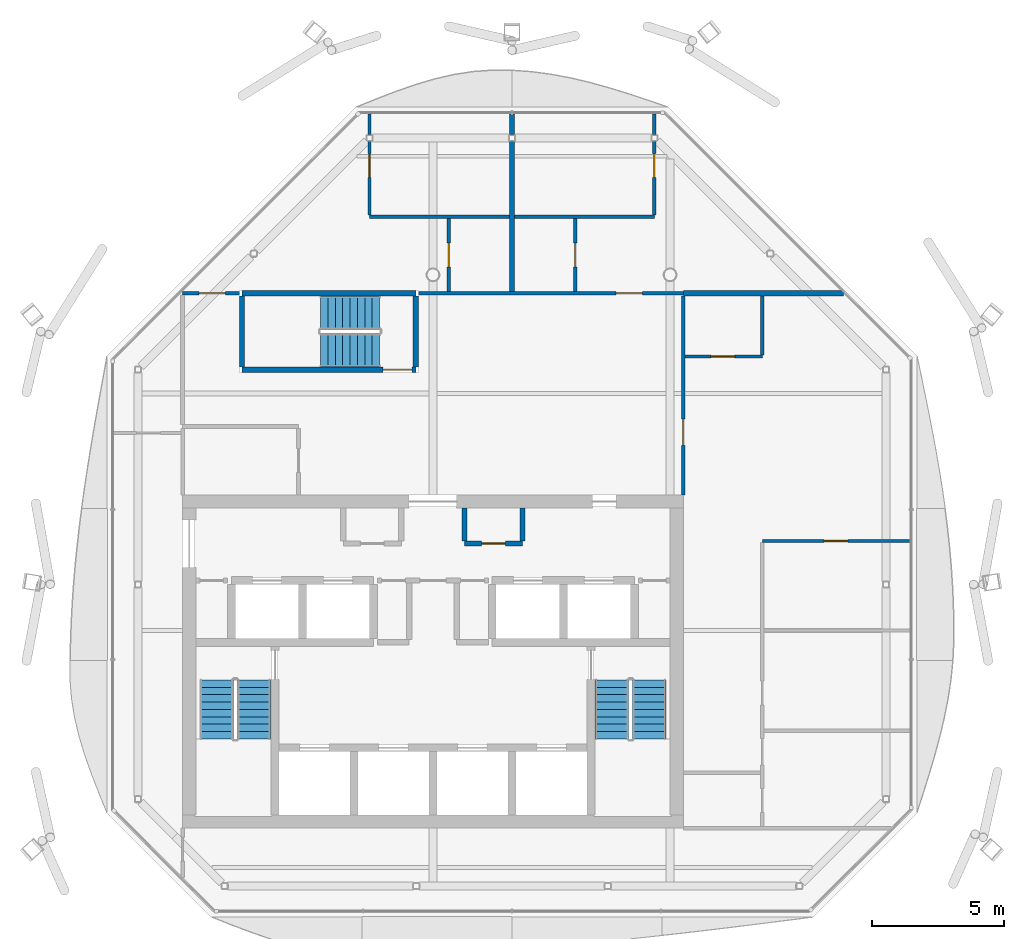
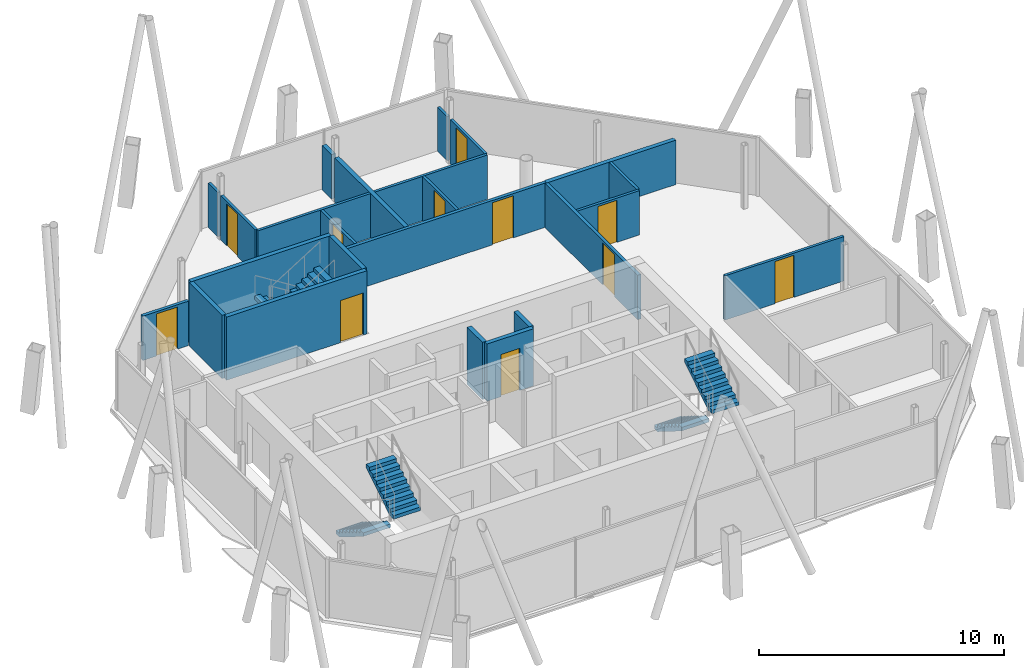
# One storey, part 11 of 14: 23 walls, 11 doors, 6 stair flights, 11 openings, 3 elements without a shape of their own.
"""IFC4 building model written with IfcOpenShell, lengths in metres."""

from ifc_helpers import new_model, si_unit, direction, frame, frame_2d, origin, place, context, subcontext, project, spatial, polyline, rectangle, outline, extrude, material, layer, layer_set, type_object, element, fill, aggregate, save


model = new_model("IFC4")

# Units and contexts
model_context = context("Model", 3, precision=1e-05, world=origin(), true_north=direction((0.0, 1.0)))
body_context = subcontext(model_context, "Body", "Model", "MODEL_VIEW")
ifc_project = project(units=[si_unit("LENGTHUNIT", "METRE"), si_unit("AREAUNIT", "SQUARE_METRE"), si_unit("VOLUMEUNIT", "CUBIC_METRE"), si_unit("PLANEANGLEUNIT", "RADIAN"), si_unit("MASSUNIT", "GRAM", prefix="KILO")], contexts=[model_context])

# Site, building, storey
site_placement = place(None, origin())
site = spatial("IfcSite", under=ifc_project, at=site_placement, CompositionType="ELEMENT")
building_placement = place(site_placement, origin())
building = spatial("IfcBuilding", under=site, at=building_placement, Name="Tskaro Facet Tower", CompositionType="ELEMENT")
storey_placement = place(building_placement, frame((0.0, 0.0, 287.85009765625)))
storey = spatial("IfcBuildingStorey", under=building, at=storey_placement, Name="L77", CompositionType="ELEMENT", Elevation=287.85009765625)

# Wall, opening, door
ifc_material_1 = material(Name="Concrete C20/25", Category="concrete")
ifc_layer_1 = layer(ifc_material_1, 0.199951171875, Name="Concrete C20/25")
ifc_layer_set_1 = layer_set([ifc_layer_1], Name="Concrete C20/25")
wall_type_1 = type_object("IfcWallType", Name="CORE-WALL", PredefinedType="SOLIDWALL", material=ifc_layer_set_1)
wall_1_placement = place(storey_placement, frame((1.199951171875, -1.199951171875, 0.0), z_axis=(0.0, 0.0, 1.0), x_axis=(1.0, 0.0, 0.0)))
wall_1 = element("IfcWall", 1, at=wall_1_placement, inside=storey, type_object=wall_type_1, Name="Core room wall W016", PredefinedType="SOLIDWALL", context=body_context, shape_type="SweptSolid", body=[
    extrude(rectangle(XDim=2.199951171875, YDim=0.199951171875, at=frame_2d((1.10009765625, 0.0))), origin(), (0.0, 0.0, 1.0), 2.849853515625),
])
opening_1_placement = place(wall_1_placement, frame((0.64990234375, 0.0, 0.0)))
opening_1 = element("IfcOpeningElement", 2, at=opening_1_placement, cuts=wall_1, Name="Opening T23-D11", PredefinedType="OPENING", context=body_context, shape_type="SweptSolid", body=[
    extrude(rectangle(XDim=0.89990234375, YDim=2.10009765625, at=frame_2d((0.449951171875, 1.050048828125))), frame((0.0, 0.10986328125, 0.0), z_axis=(0.0, -1.0, 0.0), x_axis=(1.0, 0.0, 0.0)), (0.0, 0.0, 1.0), 0.219970703125),
])
ifc_material_2 = material(Name="Timber", Category="wood")
door_type_1 = type_object("IfcDoorType", Name="D-ROOM", OperationType="NOTDEFINED", PredefinedType="DOOR", material=ifc_material_2)
door_1_placement = place(opening_1_placement, origin())
door_1 = element("IfcDoor", 3, at=door_1_placement, inside=storey, type_object=door_type_1, Name="Door T23-D11", OperationType="SINGLE_SWING_LEFT", OverallHeight=2.10009765625, OverallWidth=0.89990234375, PredefinedType="DOOR", context=body_context, shape_type="SweptSolid", body=[
    extrude(rectangle(XDim=0.89990234375, YDim=2.10009765625, at=frame_2d((0.449951171875, 1.050048828125))), frame((0.0, 0.02490234375, 0.0), z_axis=(0.0, -1.0, 0.0), x_axis=(1.0, 0.0, 0.0)), (0.0, 0.0, 1.0), 0.050048828125),
])
fill(opening_1, door_1)

# Walls
for number, where, z_axis, x_axis, name in (
    (4, (1.199951171875, -1.10009765625, 0.0), (0.0, 0.0, 1.0), (0.0, 1.0, 0.0), "Core room wall W046"),
    (5, (3.39990234375, -1.10009765625, 0.0), (0.0, 0.0, 1.0), (0.0, 1.0, 0.0), "Core room wall W051"),
):
    element("IfcWall", number, at=place(storey_placement, frame(where, z_axis=z_axis, x_axis=x_axis)), inside=storey, type_object=wall_type_1, Name=name, PredefinedType="SOLIDWALL", context=body_context, shape_type="SweptSolid", body=[
        extrude(rectangle(XDim=1.25, YDim=0.199951171875, at=frame_2d((0.625, 0.0))), origin(), (0.0, 0.0, 1.0), 2.849853515625),
    ])

# Wall, opening, door
ifc_material_3 = material(Name="Gypsum board on steel studs", Category="steel")
ifc_layer_2 = layer(ifc_material_3, 0.125, Name="Gypsum board on steel studs")
ifc_layer_set_2 = layer_set([ifc_layer_2], Name="Gypsum board on steel studs")
wall_type_2 = type_object("IfcWallType", Name="PART", PredefinedType="PARTITIONING", material=ifc_layer_set_2)
wall_2_placement = place(storey_placement, frame((18.10009765625, -1.10009765625, 0.0), z_axis=(0.0, 0.0, 1.0), x_axis=(-1.0, 0.0, 0.0)))
wall_2 = element("IfcWall", 6, at=wall_2_placement, inside=storey, type_object=wall_type_2, Name="Partition W017", PredefinedType="PARTITIONING", context=body_context, shape_type="SweptSolid", body=[
    extrude(rectangle(XDim=5.60009765625, YDim=0.125, at=frame_2d((2.800048828125, 0.0))), origin(), (0.0, 0.0, 1.0), 2.2099609375),
])
opening_2_placement = place(wall_2_placement, frame((2.35009765625, 0.0, 0.0)))
opening_2 = element("IfcOpeningElement", 7, at=opening_2_placement, cuts=wall_2, Name="Opening T23-D12", PredefinedType="OPENING", context=body_context, shape_type="SweptSolid", body=[
    extrude(rectangle(XDim=0.89990234375, YDim=2.10009765625, at=frame_2d((0.449951171875, 1.050048828125))), frame((0.0, 0.072509765625, 0.0), z_axis=(0.0, -1.0, 0.0), x_axis=(1.0, 0.0, 0.0)), (0.0, 0.0, 1.0), 0.14501953125),
])
door_2_placement = place(opening_2_placement, origin())
door_2 = element("IfcDoor", 8, at=door_2_placement, inside=storey, type_object=door_type_1, Name="Door T23-D12", OperationType="SINGLE_SWING_RIGHT", OverallHeight=2.10009765625, OverallWidth=0.89990234375, PredefinedType="DOOR", context=body_context, shape_type="SweptSolid", body=[
    extrude(rectangle(XDim=0.89990234375, YDim=2.10009765625, at=frame_2d((0.449951171875, 1.050048828125))), frame((0.0, 0.02490234375, 0.0), z_axis=(0.0, -1.0, 0.0), x_axis=(1.0, 0.0, 0.0)), (0.0, 0.0, 1.0), 0.050048828125),
])
fill(opening_2, door_2)

wall_3_placement = place(storey_placement, frame((9.574951171875, 5.89990234375, 0.0), z_axis=(0.0, 0.0, 1.0), x_axis=(1.0, 0.0, 0.0)))
wall_3 = element("IfcWall", 9, at=wall_3_placement, inside=storey, type_object=wall_type_2, Name="Partition W021", PredefinedType="PARTITIONING", context=body_context, shape_type="SweptSolid", body=[
    extrude(rectangle(XDim=2.925048828125, YDim=0.125, at=frame_2d((1.46240234375, 0.0))), origin(), (0.0, 0.0, 1.0), 2.2099609375),
])
opening_3_placement = place(wall_3_placement, frame((0.97509765625, 0.0, 0.0)))
opening_3 = element("IfcOpeningElement", 10, at=opening_3_placement, cuts=wall_3, Name="Opening T23-D18", PredefinedType="OPENING", context=body_context, shape_type="SweptSolid", body=[
    extrude(rectangle(XDim=0.89990234375, YDim=2.10009765625, at=frame_2d((0.449951171875, 1.050048828125))), frame((0.0, 0.072509765625, 0.0), z_axis=(0.0, -1.0, 0.0), x_axis=(1.0, 0.0, 0.0)), (0.0, 0.0, 1.0), 0.14501953125),
])
door_3_placement = place(opening_3_placement, origin())
door_3 = element("IfcDoor", 11, at=door_3_placement, inside=storey, type_object=door_type_1, Name="Door T23-D18", OperationType="SINGLE_SWING_LEFT", OverallHeight=2.10009765625, OverallWidth=0.89990234375, PredefinedType="DOOR", context=body_context, shape_type="SweptSolid", body=[
    extrude(rectangle(XDim=0.89990234375, YDim=2.10009765625, at=frame_2d((0.449951171875, 1.050048828125))), frame((0.0, 0.02490234375, 0.0), z_axis=(0.0, -1.0, 0.0), x_axis=(1.0, 0.0, 0.0)), (0.0, 0.0, 1.0), 0.050048828125),
])
fill(opening_3, door_3)

# Wall
wall_4_placement = place(storey_placement, frame((-2.405029296875, 11.199951171875, 0.0), z_axis=(0.0, 0.0, 1.0), x_axis=(1.0, 0.0, 0.0)))
element("IfcWall", 12, at=wall_4_placement, inside=storey, type_object=wall_type_2, Name="Partition W026", PredefinedType="PARTITIONING", context=body_context, shape_type="SweptSolid", body=[
    extrude(rectangle(XDim=10.804931640625, YDim=0.125, at=frame_2d((5.40234375, 0.0))), origin(), (0.0, 0.0, 1.0), 2.2099609375),
])

# Wall, opening, door
wall_5_placement = place(storey_placement, frame((-2.405029296875, 14.074951171875, 0.0), z_axis=(0.0, 0.0, 1.0), x_axis=(0.0, -1.0, 0.0)))
wall_5 = element("IfcWall", 13, at=wall_5_placement, inside=storey, type_object=wall_type_2, Name="Partition W037", PredefinedType="PARTITIONING", context=body_context, shape_type="SweptSolid", body=[
    extrude(rectangle(XDim=2.8125, YDim=0.125, at=frame_2d((1.40625, 0.0))), origin(), (0.0, 0.0, 1.0), 2.2099609375),
])
opening_4_placement = place(wall_5_placement, frame((0.47509765625, 0.0, 0.0)))
opening_4 = element("IfcOpeningElement", 14, at=opening_4_placement, cuts=wall_5, Name="Opening T23-D23", PredefinedType="OPENING", context=body_context, shape_type="SweptSolid", body=[
    extrude(rectangle(XDim=0.89990234375, YDim=2.10009765625, at=frame_2d((0.449951171875, 1.050048828125))), frame((0.0, 0.072509765625, 0.0), z_axis=(0.0, -1.0, 0.0), x_axis=(1.0, 0.0, 0.0)), (0.0, 0.0, 1.0), 0.14501953125),
])
door_4_placement = place(opening_4_placement, origin())
door_4 = element("IfcDoor", 15, at=door_4_placement, inside=storey, type_object=door_type_1, Name="Door T23-D23", OperationType="SINGLE_SWING_RIGHT", OverallHeight=2.10009765625, OverallWidth=0.89990234375, PredefinedType="DOOR", context=body_context, shape_type="SweptSolid", body=[
    extrude(rectangle(XDim=0.89990234375, YDim=2.10009765625, at=frame_2d((0.449951171875, 1.050048828125))), frame((0.0, 0.02490234375, 0.0), z_axis=(0.0, -1.0, 0.0), x_axis=(1.0, 0.0, 0.0)), (0.0, 0.0, 1.0), 0.050048828125),
])
fill(opening_4, door_4)

# Wall
wall_6_placement = place(storey_placement, frame((-2.405029296875, 14.324951171875, 0.0), z_axis=(0.0, 0.0, 1.0), x_axis=(0.0, 1.0, 0.0)))
element("IfcWall", 16, at=wall_6_placement, inside=storey, type_object=wall_type_2, Name="Partition W038", PredefinedType="PARTITIONING", context=body_context, shape_type="SweptSolid", body=[
    extrude(rectangle(XDim=0.775146484375, YDim=0.125, at=frame_2d((0.3876953125, 0.0))), origin(), (0.0, 0.0, 1.0), 2.2099609375),
])

# Wall, opening, door
wall_7_placement = place(storey_placement, frame((0.60009765625, 11.137451171875, 0.0), z_axis=(0.0, 0.0, 1.0), x_axis=(0.0, -1.0, 0.0)))
wall_7 = element("IfcWall", 17, at=wall_7_placement, inside=storey, type_object=wall_type_2, Name="Partition W044", PredefinedType="PARTITIONING", context=body_context, shape_type="SweptSolid", body=[
    extrude(rectangle(XDim=2.762451171875, YDim=0.125, at=frame_2d((1.38134765625, 0.0))), origin(), (0.0, 0.0, 1.0), 2.2099609375),
])
opening_5_placement = place(wall_7_placement, frame((0.9375, 0.0, 0.0)))
opening_5 = element("IfcOpeningElement", 18, at=opening_5_placement, cuts=wall_7, Name="Opening T23-D21", PredefinedType="OPENING", context=body_context, shape_type="SweptSolid", body=[
    extrude(rectangle(XDim=0.89990234375, YDim=2.10009765625, at=frame_2d((0.449951171875, 1.050048828125))), frame((0.0, 0.072509765625, 0.0), z_axis=(0.0, -1.0, 0.0), x_axis=(1.0, 0.0, 0.0)), (0.0, 0.0, 1.0), 0.14501953125),
])
door_5_placement = place(opening_5_placement, origin())
door_5 = element("IfcDoor", 19, at=door_5_placement, inside=storey, type_object=door_type_1, Name="Door T23-D21", OperationType="SINGLE_SWING_RIGHT", OverallHeight=2.10009765625, OverallWidth=0.89990234375, PredefinedType="DOOR", context=body_context, shape_type="SweptSolid", body=[
    extrude(rectangle(XDim=0.89990234375, YDim=2.10009765625, at=frame_2d((0.449951171875, 1.050048828125))), frame((0.0, 0.02490234375, 0.0), z_axis=(0.0, -1.0, 0.0), x_axis=(1.0, 0.0, 0.0)), (0.0, 0.0, 1.0), 0.050048828125),
])
fill(opening_5, door_5)

wall_8_placement = place(storey_placement, frame((5.39990234375, 8.375, 0.0), z_axis=(0.0, 0.0, 1.0), x_axis=(0.0, 1.0, 0.0)))
wall_8 = element("IfcWall", 20, at=wall_8_placement, inside=storey, type_object=wall_type_2, Name="Partition W053", PredefinedType="PARTITIONING", context=body_context, shape_type="SweptSolid", body=[
    extrude(rectangle(XDim=2.762451171875, YDim=0.125, at=frame_2d((1.38134765625, 0.0))), origin(), (0.0, 0.0, 1.0), 2.2099609375),
])
opening_6_placement = place(wall_8_placement, frame((0.925048828125, 0.0, 0.0)))
opening_6 = element("IfcOpeningElement", 21, at=opening_6_placement, cuts=wall_8, Name="Opening T23-D22", PredefinedType="OPENING", context=body_context, shape_type="SweptSolid", body=[
    extrude(rectangle(XDim=0.89990234375, YDim=2.10009765625, at=frame_2d((0.449951171875, 1.050048828125))), frame((0.0, 0.072509765625, 0.0), z_axis=(0.0, -1.0, 0.0), x_axis=(1.0, 0.0, 0.0)), (0.0, 0.0, 1.0), 0.14501953125),
])
door_6_placement = place(opening_6_placement, origin())
door_6 = element("IfcDoor", 22, at=door_6_placement, inside=storey, type_object=door_type_1, Name="Door T23-D22", OperationType="SINGLE_SWING_LEFT", OverallHeight=2.10009765625, OverallWidth=0.89990234375, PredefinedType="DOOR", context=body_context, shape_type="SweptSolid", body=[
    extrude(rectangle(XDim=0.89990234375, YDim=2.10009765625, at=frame_2d((0.449951171875, 1.050048828125))), frame((0.0, 0.02490234375, 0.0), z_axis=(0.0, -1.0, 0.0), x_axis=(1.0, 0.0, 0.0)), (0.0, 0.0, 1.0), 0.050048828125),
])
fill(opening_6, door_6)

wall_9_placement = place(storey_placement, frame((8.39990234375, 11.262451171875, 0.0), z_axis=(0.0, 0.0, 1.0), x_axis=(0.0, 1.0, 0.0)))
wall_9 = element("IfcWall", 23, at=wall_9_placement, inside=storey, type_object=wall_type_2, Name="Partition W056", PredefinedType="PARTITIONING", context=body_context, shape_type="SweptSolid", body=[
    extrude(rectangle(XDim=2.8125, YDim=0.125, at=frame_2d((1.40625, 0.0))), origin(), (0.0, 0.0, 1.0), 2.2099609375),
])
opening_7_placement = place(wall_9_placement, frame((1.4375, 0.0, 0.0)))
opening_7 = element("IfcOpeningElement", 24, at=opening_7_placement, cuts=wall_9, Name="Opening T23-D24", PredefinedType="OPENING", context=body_context, shape_type="SweptSolid", body=[
    extrude(rectangle(XDim=0.89990234375, YDim=2.10009765625, at=frame_2d((0.449951171875, 1.050048828125))), frame((0.0, 0.072509765625, 0.0), z_axis=(0.0, -1.0, 0.0), x_axis=(1.0, 0.0, 0.0)), (0.0, 0.0, 1.0), 0.14501953125),
])
door_7_placement = place(opening_7_placement, origin())
door_7 = element("IfcDoor", 25, at=door_7_placement, inside=storey, type_object=door_type_1, Name="Door T23-D24", OperationType="SINGLE_SWING_LEFT", OverallHeight=2.10009765625, OverallWidth=0.89990234375, PredefinedType="DOOR", context=body_context, shape_type="SweptSolid", body=[
    extrude(rectangle(XDim=0.89990234375, YDim=2.10009765625, at=frame_2d((0.449951171875, 1.050048828125))), frame((0.0, 0.02490234375, 0.0), z_axis=(0.0, -1.0, 0.0), x_axis=(1.0, 0.0, 0.0)), (0.0, 0.0, 1.0), 0.050048828125),
])
fill(opening_7, door_7)

# Walls
wall_10_placement = place(storey_placement, frame((8.39990234375, 14.324951171875, 0.0), z_axis=(0.0, 0.0, 1.0), x_axis=(0.0, 1.0, 0.0)))
element("IfcWall", 26, at=wall_10_placement, inside=storey, type_object=wall_type_2, Name="Partition W057", PredefinedType="PARTITIONING", context=body_context, shape_type="SweptSolid", body=[
    extrude(rectangle(XDim=0.775146484375, YDim=0.125, at=frame_2d((0.3876953125, 0.0))), origin(), (0.0, 0.0, 1.0), 2.2099609375),
])
wall_11_placement = place(storey_placement, frame((12.5, 5.96240234375, 0.0), z_axis=(0.0, 0.0, 1.0), x_axis=(0.0, 1.0, 0.0)))
element("IfcWall", 27, at=wall_11_placement, inside=storey, type_object=wall_type_2, Name="Partition W060", PredefinedType="PARTITIONING", context=body_context, shape_type="SweptSolid", body=[
    extrude(rectangle(XDim=2.237548828125, YDim=0.125, at=frame_2d((1.11865234375, 0.0))), origin(), (0.0, 0.0, 1.0), 2.2099609375),
])

# Wall, opening, door
ifc_layer_3 = layer(ifc_material_3, 0.14990234375, Name="Gypsum board on steel studs")
ifc_layer_set_3 = layer_set([ifc_layer_3], Name="Gypsum board on steel studs")
wall_type_3 = type_object("IfcWallType", Name="PART-CORR", PredefinedType="PARTITIONING", material=ifc_layer_set_3)
wall_12_placement = place(storey_placement, frame((-9.5, 8.300048828125, 0.0), z_axis=(0.0, 0.0, 1.0), x_axis=(1.0, 0.0, 0.0)))
wall_12 = element("IfcWall", 28, at=wall_12_placement, inside=storey, type_object=wall_type_3, Name="Corridor wall W022", PredefinedType="PARTITIONING", context=body_context, shape_type="SweptSolid", body=[
    extrude(rectangle(XDim=2.14990234375, YDim=0.14990234375, at=frame_2d((1.074951171875, 0.0))), origin(), (0.0, 0.0, 1.0), 2.2099609375),
])
opening_8_placement = place(wall_12_placement, frame((0.625, 0.0, 0.0)))
opening_8 = element("IfcOpeningElement", 29, at=opening_8_placement, cuts=wall_12, Name="Opening T23-D19", PredefinedType="OPENING", context=body_context, shape_type="SweptSolid", body=[
    extrude(rectangle(XDim=1.0, YDim=2.10009765625, at=frame_2d((0.5, 1.050048828125))), frame((0.0, 0.0849609375, 0.0), z_axis=(0.0, -1.0, 0.0), x_axis=(1.0, 0.0, 0.0)), (0.0, 0.0, 1.0), 0.169921875),
])
door_type_2 = type_object("IfcDoorType", Name="D-FLAT-ENTRY", OperationType="NOTDEFINED", PredefinedType="DOOR", material=ifc_material_2)
door_8_placement = place(opening_8_placement, origin())
door_8 = element("IfcDoor", 30, at=door_8_placement, inside=storey, type_object=door_type_2, Name="Door T23-D19", OperationType="SINGLE_SWING_RIGHT", OverallHeight=2.10009765625, OverallWidth=1.0, PredefinedType="DOOR", context=body_context, shape_type="SweptSolid", body=[
    extrude(rectangle(XDim=1.0, YDim=2.10009765625, at=frame_2d((0.5, 1.050048828125))), frame((0.0, 0.02490234375, 0.0), z_axis=(0.0, -1.0, 0.0), x_axis=(1.0, 0.0, 0.0)), (0.0, 0.0, 1.0), 0.050048828125),
])
fill(opening_8, door_8)

wall_13_placement = place(storey_placement, frame((-0.550048828125, 8.300048828125, 0.0), z_axis=(0.0, 0.0, 1.0), x_axis=(1.0, 0.0, 0.0)))
wall_13 = element("IfcWall", 31, at=wall_13_placement, inside=storey, type_object=wall_type_3, Name="Corridor wall W024", PredefinedType="PARTITIONING", context=body_context, shape_type="SweptSolid", body=[
    extrude(rectangle(XDim=10.050048828125, YDim=0.14990234375, at=frame_2d((5.02490234375, 0.0))), origin(), (0.0, 0.0, 1.0), 2.2099609375),
])
opening_9_placement = place(wall_13_placement, frame((7.5, 0.0, 0.0)))
opening_9 = element("IfcOpeningElement", 32, at=opening_9_placement, cuts=wall_13, Name="Opening T23-D20", PredefinedType="OPENING", context=body_context, shape_type="SweptSolid", body=[
    extrude(rectangle(XDim=1.0, YDim=2.10009765625, at=frame_2d((0.5, 1.050048828125))), frame((0.0, 0.0849609375, 0.0), z_axis=(0.0, -1.0, 0.0), x_axis=(1.0, 0.0, 0.0)), (0.0, 0.0, 1.0), 0.169921875),
])
door_9_placement = place(opening_9_placement, origin())
door_9 = element("IfcDoor", 33, at=door_9_placement, inside=storey, type_object=door_type_2, Name="Door T23-D20", OperationType="SINGLE_SWING_LEFT", OverallHeight=2.10009765625, OverallWidth=1.0, PredefinedType="DOOR", context=body_context, shape_type="SweptSolid", body=[
    extrude(rectangle(XDim=1.0, YDim=2.10009765625, at=frame_2d((0.5, 1.050048828125))), frame((0.0, 0.02490234375, 0.0), z_axis=(0.0, -1.0, 0.0), x_axis=(1.0, 0.0, 0.0)), (0.0, 0.0, 1.0), 0.050048828125),
])
fill(opening_9, door_9)

wall_14_placement = place(storey_placement, frame((9.5, 8.199951171875, 0.0), z_axis=(0.0, 0.0, 1.0), x_axis=(0.0, -1.0, 0.0)))
wall_14 = element("IfcWall", 34, at=wall_14_placement, inside=storey, type_object=wall_type_3, Name="Corridor wall W058", PredefinedType="PARTITIONING", context=body_context, shape_type="SweptSolid", body=[
    extrude(rectangle(XDim=7.550048828125, YDim=0.14990234375, at=frame_2d((3.77490234375, 0.0))), origin(), (0.0, 0.0, 1.0), 2.2099609375),
])
opening_10_placement = place(wall_14_placement, frame((4.675048828125, 0.0, 0.0)))
opening_10 = element("IfcOpeningElement", 35, at=opening_10_placement, cuts=wall_14, Name="Opening T23-D17", PredefinedType="OPENING", context=body_context, shape_type="SweptSolid", body=[
    extrude(rectangle(XDim=1.0, YDim=2.10009765625, at=frame_2d((0.5, 1.050048828125))), frame((0.0, 0.0849609375, 0.0), z_axis=(0.0, -1.0, 0.0), x_axis=(1.0, 0.0, 0.0)), (0.0, 0.0, 1.0), 0.169921875),
])
door_10_placement = place(opening_10_placement, origin())
door_10 = element("IfcDoor", 36, at=door_10_placement, inside=storey, type_object=door_type_2, Name="Door T23-D17", OperationType="SINGLE_SWING_LEFT", OverallHeight=2.10009765625, OverallWidth=1.0, PredefinedType="DOOR", context=body_context, shape_type="SweptSolid", body=[
    extrude(rectangle(XDim=1.0, YDim=2.10009765625, at=frame_2d((0.5, 1.050048828125))), frame((0.0, 0.02490234375, 0.0), z_axis=(0.0, -1.0, 0.0), x_axis=(1.0, 0.0, 0.0)), (0.0, 0.0, 1.0), 0.050048828125),
])
fill(opening_10, door_10)

# Walls
ifc_layer_4 = layer(ifc_material_3, 0.199951171875, Name="Gypsum board on steel studs")
ifc_layer_set_4 = layer_set([ifc_layer_4], Name="Gypsum board on steel studs")
wall_type_4 = type_object("IfcWallType", Name="PART-DEMISING", PredefinedType="PARTITIONING", material=ifc_layer_set_4)
wall_15_placement = place(storey_placement, frame((9.5, 8.300048828125, 0.0), z_axis=(0.0, 0.0, 1.0), x_axis=(1.0, 0.0, 0.0)))
element("IfcWall", 37, at=wall_15_placement, inside=storey, type_object=wall_type_4, Name="Guest room wall W025", PredefinedType="PARTITIONING", context=body_context, shape_type="SweptSolid", body=[
    extrude(rectangle(XDim=6.075927734375, YDim=0.199951171875, at=frame_2d((3.0380859375, 0.0))), origin(), (0.0, 0.0, 1.0), 2.2099609375),
])
wall_16_placement = place(storey_placement, frame((3.0, 8.375, 0.0), z_axis=(0.0, 0.0, 1.0), x_axis=(0.0, 1.0, 0.0)))
element("IfcWall", 38, at=wall_16_placement, inside=storey, type_object=wall_type_4, Name="Guest room wall W049", PredefinedType="PARTITIONING", context=body_context, shape_type="SweptSolid", body=[
    extrude(rectangle(XDim=5.699951171875, YDim=0.199951171875, at=frame_2d((2.85009765625, 0.0))), origin(), (0.0, 0.0, 1.0), 2.2099609375),
])
wall_17_placement = place(storey_placement, frame((3.0, 14.324951171875, 0.0), z_axis=(0.0, 0.0, 1.0), x_axis=(0.0, 1.0, 0.0)))
element("IfcWall", 39, at=wall_17_placement, inside=storey, type_object=wall_type_4, Name="Guest room wall W050", PredefinedType="PARTITIONING", context=body_context, shape_type="SweptSolid", body=[
    extrude(rectangle(XDim=0.775146484375, YDim=0.199951171875, at=frame_2d((0.3876953125, 0.0))), origin(), (0.0, 0.0, 1.0), 2.2099609375),
])

# Wall, opening, door
ifc_material_4 = material(Name="Concrete C60/75", Category="concrete")
ifc_layer_5 = layer(ifc_material_4, 0.199951171875, Name="Concrete C60/75")
ifc_layer_set_5 = layer_set([ifc_layer_5], Name="Concrete C60/75")
wall_type_5 = type_object("IfcWallType", Name="STAIR-WALL", PredefinedType="SHEAR", material=ifc_layer_set_5)
wall_18_placement = place(storey_placement, frame((-7.25, 5.39990234375, 0.0), z_axis=(0.0, 0.0, 1.0), x_axis=(1.0, 0.0, 0.0)))
wall_18 = element("IfcWall", 40, at=wall_18_placement, inside=storey, type_object=wall_type_5, Name="Stair wall W020", PredefinedType="SHEAR", context=body_context, shape_type="SweptSolid", body=[
    extrude(rectangle(XDim=6.60009765625, YDim=0.199951171875, at=frame_2d((3.300048828125, 0.0))), origin(), (0.0, 0.0, 1.0), 3.14990234375),
])
opening_11_placement = place(wall_18_placement, frame((5.35009765625, 0.0, 0.0)))
opening_11 = element("IfcOpeningElement", 41, at=opening_11_placement, cuts=wall_18, Name="Opening ST-3-D1", PredefinedType="OPENING", context=body_context, shape_type="SweptSolid", body=[
    extrude(rectangle(XDim=1.10009765625, YDim=2.10009765625, at=frame_2d((0.550048828125, 1.050048828125))), frame((0.0, 0.10986328125, 0.0), z_axis=(0.0, -1.0, 0.0), x_axis=(1.0, 0.0, 0.0)), (0.0, 0.0, 1.0), 0.219970703125),
])
ifc_material_5 = material(Name="Steel", Category="steel")
door_type_3 = type_object("IfcDoorType", Name="D-STAIR", OperationType="NOTDEFINED", PredefinedType="DOOR", material=ifc_material_5)
door_11_placement = place(opening_11_placement, origin())
door_11 = element("IfcDoor", 42, at=door_11_placement, inside=storey, type_object=door_type_3, Name="Stair door 3", OperationType="SINGLE_SWING_LEFT", OverallHeight=2.10009765625, OverallWidth=1.10009765625, PredefinedType="DOOR", context=body_context, shape_type="SweptSolid", body=[
    extrude(rectangle(XDim=1.10009765625, YDim=2.10009765625, at=frame_2d((0.550048828125, 1.050048828125))), frame((0.0, 0.02490234375, 0.0), z_axis=(0.0, -1.0, 0.0), x_axis=(1.0, 0.0, 0.0)), (0.0, 0.0, 1.0), 0.050048828125),
])
fill(opening_11, door_11)

# Walls
wall_19_placement = place(storey_placement, frame((-7.25, 8.300048828125, 0.0), z_axis=(0.0, 0.0, 1.0), x_axis=(1.0, 0.0, 0.0)))
element("IfcWall", 43, at=wall_19_placement, inside=storey, type_object=wall_type_5, Name="Stair wall W023", PredefinedType="SHEAR", context=body_context, shape_type="SweptSolid", body=[
    extrude(rectangle(XDim=6.60009765625, YDim=0.199951171875, at=frame_2d((3.300048828125, 0.0))), origin(), (0.0, 0.0, 1.0), 3.14990234375),
])
for number, where, z_axis, x_axis, name in (
    (44, (-7.25, 5.5, 0.0), (0.0, 0.0, 1.0), (0.0, 1.0, 0.0), "Stair wall W031"),
    (45, (-0.64990234375, 5.5, 0.0), (0.0, 0.0, 1.0), (0.0, 1.0, 0.0), "Stair wall W042"),
):
    element("IfcWall", number, at=place(storey_placement, frame(where, z_axis=z_axis, x_axis=x_axis)), inside=storey, type_object=wall_type_5, Name=name, PredefinedType="SHEAR", context=body_context, shape_type="SweptSolid", body=[
        extrude(rectangle(XDim=2.699951171875, YDim=0.199951171875, at=frame_2d((1.35009765625, 0.0))), origin(), (0.0, 0.0, 1.0), 3.14990234375),
    ])

# Stair, stair flights
ifc_material_6 = material(Name="Concrete C40/50", Category="concrete")
stair_type = type_object("IfcStairType", Name="ST-TWR", PredefinedType="HALF_TURN_STAIR", material=ifc_material_6)
stair_1_placement = place(storey_placement, origin())
stair_1 = element("IfcStair", 46, at=stair_1_placement, inside=storey, type_object=stair_type, Name="L77 Exit stair 1", PredefinedType="HALF_TURN_STAIR")
stair_flight_type = type_object("IfcStairFlightType", Name="SFL-RC", PredefinedType="STRAIGHT", material=ifc_material_6)
stair_flight_1_placement = place(storey_placement, frame((-8.21240234375, -6.375, 0.0), z_axis=(0.0, 0.0, 1.0), x_axis=(0.0, -1.0, 0.0)))
stair_flight_1 = element("IfcStairFlight", 47, at=stair_flight_1_placement, type_object=stair_flight_type, Name="ST-1 flight 1", NumberOfRisers=9, NumberOfTreads=8, PredefinedType="STRAIGHT", RiserHeight=0.175, TreadLength=0.28, context=body_context, shape_type="SweptSolid", body=[
    extrude(outline(polyline([(0.0, 0.0), (0.0, 0.175048828125), (0.280029296875, 0.175048828125), (0.280029296875, 0.35009765625), (0.56005859375, 0.35009765625), (0.56005859375, 0.52490234375), (0.840087890625, 0.52490234375), (0.840087890625, 0.699951171875), (1.1201171875, 0.699951171875), (1.1201171875, 0.875), (1.39990234375, 0.875), (1.39990234375, 1.050048828125), (1.679931640625, 1.050048828125), (1.679931640625, 1.22509765625), (1.9599609375, 1.22509765625), (1.9599609375, 1.39990234375), (2.239990234375, 1.39990234375), (2.239990234375, 1.574951171875), (2.239990234375, 1.22314453125), (0.28271484375, 0.0), (0.0, 0.0)])), frame((0.0, 0.637451171875, 0.0), z_axis=(0.0, -1.0, 0.0), x_axis=(1.0, 0.0, 0.0)), (0.0, 0.0, 1.0), 1.27490234375),
])
stair_flight_2_placement = place(storey_placement, frame((-6.78759765625, -8.614990234375, 1.574951171875), z_axis=(0.0, 0.0, 1.0), x_axis=(0.0, 1.0, 0.0)))
stair_flight_2 = element("IfcStairFlight", 48, at=stair_flight_2_placement, type_object=stair_flight_type, Name="ST-1 flight 2", NumberOfRisers=9, NumberOfTreads=8, PredefinedType="STRAIGHT", RiserHeight=0.175, TreadLength=0.28, context=body_context, shape_type="SweptSolid", body=[
    extrude(outline(polyline([(0.0, 0.0), (0.0, 0.175048828125), (0.280029296875, 0.175048828125), (0.280029296875, 0.35009765625), (0.56005859375, 0.35009765625), (0.56005859375, 0.52490234375), (0.840087890625, 0.52490234375), (0.840087890625, 0.699951171875), (1.1201171875, 0.699951171875), (1.1201171875, 0.875), (1.39990234375, 0.875), (1.39990234375, 1.050048828125), (1.679931640625, 1.050048828125), (1.679931640625, 1.22509765625), (1.9599609375, 1.22509765625), (1.9599609375, 1.39990234375), (2.239990234375, 1.39990234375), (2.239990234375, 1.574951171875), (2.239990234375, 1.22314453125), (0.28271484375, 0.0), (0.0, 0.0)])), frame((0.0, 0.637451171875, 0.0), z_axis=(0.0, -1.0, 0.0), x_axis=(1.0, 0.0, 0.0)), (0.0, 0.0, 1.0), 1.27490234375),
])
aggregate(stair_1, [stair_flight_1, stair_flight_2])

stair_2_placement = place(storey_placement, origin())
stair_2 = element("IfcStair", 49, at=stair_2_placement, inside=storey, type_object=stair_type, Name="L77 Exit stair 2", PredefinedType="HALF_TURN_STAIR")
stair_flight_3_placement = place(storey_placement, frame((6.78759765625, -6.375, 0.0), z_axis=(0.0, 0.0, 1.0), x_axis=(0.0, -1.0, 0.0)))
stair_flight_3 = element("IfcStairFlight", 50, at=stair_flight_3_placement, type_object=stair_flight_type, Name="ST-2 flight 1", NumberOfRisers=9, NumberOfTreads=8, PredefinedType="STRAIGHT", RiserHeight=0.175, TreadLength=0.28, context=body_context, shape_type="SweptSolid", body=[
    extrude(outline(polyline([(0.0, 0.0), (0.0, 0.175048828125), (0.280029296875, 0.175048828125), (0.280029296875, 0.35009765625), (0.56005859375, 0.35009765625), (0.56005859375, 0.52490234375), (0.840087890625, 0.52490234375), (0.840087890625, 0.699951171875), (1.1201171875, 0.699951171875), (1.1201171875, 0.875), (1.39990234375, 0.875), (1.39990234375, 1.050048828125), (1.679931640625, 1.050048828125), (1.679931640625, 1.22509765625), (1.9599609375, 1.22509765625), (1.9599609375, 1.39990234375), (2.239990234375, 1.39990234375), (2.239990234375, 1.574951171875), (2.239990234375, 1.22314453125), (0.28271484375, 0.0), (0.0, 0.0)])), frame((0.0, 0.637451171875, 0.0), z_axis=(0.0, -1.0, 0.0), x_axis=(1.0, 0.0, 0.0)), (0.0, 0.0, 1.0), 1.27490234375),
])
stair_flight_4_placement = place(storey_placement, frame((8.21240234375, -8.614990234375, 1.574951171875), z_axis=(0.0, 0.0, 1.0), x_axis=(0.0, 1.0, 0.0)))
stair_flight_4 = element("IfcStairFlight", 51, at=stair_flight_4_placement, type_object=stair_flight_type, Name="ST-2 flight 2", NumberOfRisers=9, NumberOfTreads=8, PredefinedType="STRAIGHT", RiserHeight=0.175, TreadLength=0.28, context=body_context, shape_type="SweptSolid", body=[
    extrude(outline(polyline([(0.0, 0.0), (0.0, 0.175048828125), (0.280029296875, 0.175048828125), (0.280029296875, 0.35009765625), (0.56005859375, 0.35009765625), (0.56005859375, 0.52490234375), (0.840087890625, 0.52490234375), (0.840087890625, 0.699951171875), (1.1201171875, 0.699951171875), (1.1201171875, 0.875), (1.39990234375, 0.875), (1.39990234375, 1.050048828125), (1.679931640625, 1.050048828125), (1.679931640625, 1.22509765625), (1.9599609375, 1.22509765625), (1.9599609375, 1.39990234375), (2.239990234375, 1.39990234375), (2.239990234375, 1.574951171875), (2.239990234375, 1.22314453125), (0.28271484375, 0.0), (0.0, 0.0)])), frame((0.0, 0.637451171875, 0.0), z_axis=(0.0, -1.0, 0.0), x_axis=(1.0, 0.0, 0.0)), (0.0, 0.0, 1.0), 1.27490234375),
])
aggregate(stair_2, [stair_flight_3, stair_flight_4])

stair_3_placement = place(storey_placement, origin())
stair_3 = element("IfcStair", 52, at=stair_3_placement, inside=storey, type_object=stair_type, Name="L77 Exit stair 3", PredefinedType="HALF_TURN_STAIR")
stair_flight_5_placement = place(storey_placement, frame((-2.02490234375, 7.5625, 0.0), z_axis=(0.0, 0.0, 1.0), x_axis=(-1.0, 0.0, 0.0)))
stair_flight_5 = element("IfcStairFlight", 53, at=stair_flight_5_placement, type_object=stair_flight_type, Name="ST-3 flight 1", NumberOfRisers=9, NumberOfTreads=8, PredefinedType="STRAIGHT", RiserHeight=0.175, TreadLength=0.28, context=body_context, shape_type="SweptSolid", body=[
    extrude(outline(polyline([(0.0, 0.0), (0.0, 0.175048828125), (0.280029296875, 0.175048828125), (0.280029296875, 0.35009765625), (0.56005859375, 0.35009765625), (0.56005859375, 0.52490234375), (0.840087890625, 0.52490234375), (0.840087890625, 0.699951171875), (1.1201171875, 0.699951171875), (1.1201171875, 0.875), (1.39990234375, 0.875), (1.39990234375, 1.050048828125), (1.679931640625, 1.050048828125), (1.679931640625, 1.22509765625), (1.9599609375, 1.22509765625), (1.9599609375, 1.39990234375), (2.239990234375, 1.39990234375), (2.239990234375, 1.574951171875), (2.239990234375, 1.22314453125), (0.28271484375, 0.0), (0.0, 0.0)])), frame((0.0, 0.637451171875, 0.0), z_axis=(0.0, -1.0, 0.0), x_axis=(1.0, 0.0, 0.0)), (0.0, 0.0, 1.0), 1.27490234375),
])
stair_flight_6_placement = place(storey_placement, frame((-4.264892578125, 6.137451171875, 1.574951171875), z_axis=(0.0, 0.0, 1.0), x_axis=(1.0, 0.0, 0.0)))
stair_flight_6 = element("IfcStairFlight", 54, at=stair_flight_6_placement, type_object=stair_flight_type, Name="ST-3 flight 2", NumberOfRisers=9, NumberOfTreads=8, PredefinedType="STRAIGHT", RiserHeight=0.175, TreadLength=0.28, context=body_context, shape_type="SweptSolid", body=[
    extrude(outline(polyline([(0.0, 0.0), (0.0, 0.175048828125), (0.280029296875, 0.175048828125), (0.280029296875, 0.35009765625), (0.56005859375, 0.35009765625), (0.56005859375, 0.52490234375), (0.840087890625, 0.52490234375), (0.840087890625, 0.699951171875), (1.1201171875, 0.699951171875), (1.1201171875, 0.875), (1.39990234375, 0.875), (1.39990234375, 1.050048828125), (1.679931640625, 1.050048828125), (1.679931640625, 1.22509765625), (1.9599609375, 1.22509765625), (1.9599609375, 1.39990234375), (2.239990234375, 1.39990234375), (2.239990234375, 1.574951171875), (2.239990234375, 1.22314453125), (0.28271484375, 0.0), (0.0, 0.0)])), frame((0.0, 0.637451171875, 0.0), z_axis=(0.0, -1.0, 0.0), x_axis=(1.0, 0.0, 0.0)), (0.0, 0.0, 1.0), 1.27490234375),
])
aggregate(stair_3, [stair_flight_5, stair_flight_6])

save(model, "model.ifc")
